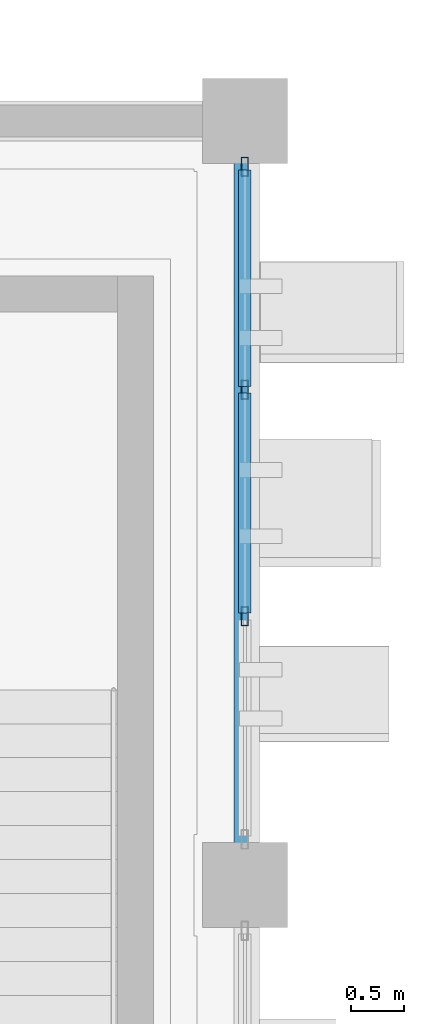
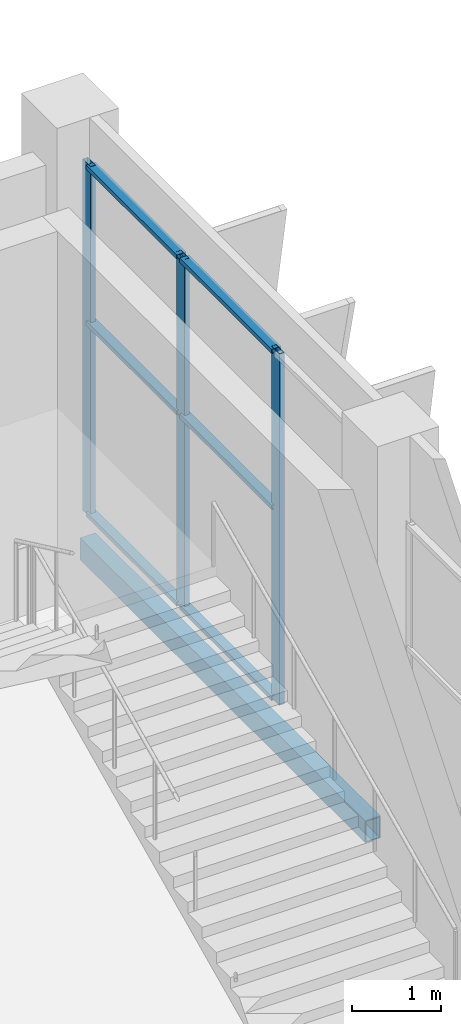
# One storey, part 52 of 137: 9 members, 1 beam, 1 element without a shape of its own.
"""IFC4 building model written with IfcOpenShell, lengths in metres."""

from ifc_helpers import new_model, si_unit, direction, frame, origin, origin_2d, place, context, subcontext, project, spatial, hollow_rectangle, extrude, material, layer, layer_set, material_profile, profile_set, type_object, element, aggregate, save


model = new_model("IFC4")

# Units and contexts
model_context = context("Model", 3, precision=1e-05, world=origin(), true_north=direction((0.0, 1.0)))
body_context = subcontext(model_context, "Body", "Model", "MODEL_VIEW")
ifc_project = project(units=[si_unit("LENGTHUNIT", "METRE"), si_unit("AREAUNIT", "SQUARE_METRE"), si_unit("VOLUMEUNIT", "CUBIC_METRE"), si_unit("PLANEANGLEUNIT", "RADIAN"), si_unit("MASSUNIT", "GRAM", prefix="KILO")], contexts=[model_context])

# Site, building, storey
site_placement = place(None, origin())
site = spatial("IfcSite", under=ifc_project, at=site_placement, CompositionType="ELEMENT")
building_placement = place(site_placement, origin())
building = spatial("IfcBuilding", under=site, at=building_placement, Name="Celestram Park Convention Centre", CompositionType="ELEMENT")
storey_placement = place(building_placement, origin())
storey = spatial("IfcBuildingStorey", under=building, at=storey_placement, Name="L00", CompositionType="ELEMENT", Elevation=0.0)

# Curtain wall, members
ifc_material_1 = material(Name="Anodised Aluminium Alloy 6063-T6", Category="aluminium")
ifc_layer = layer(ifc_material_1, 0.179931640625)
ifc_layer_set = layer_set([ifc_layer], Name="Anodised Aluminium Alloy 6063-T6")
curtain_wall_type = type_object("IfcCurtainWallType", Name="ARC-CW-640X482", PredefinedType="NOTDEFINED", material=ifc_layer_set)
curtain_wall_placement = place(storey_placement, origin())
curtain_wall = element("IfcCurtainWall", 1, at=curtain_wall_placement, inside=storey, type_object=curtain_wall_type, Name="Unitised curtain wall CU-L00-021", PredefinedType="NOTDEFINED")
ifc_material_profile_1 = material_profile(ifc_material_1, hollow_rectangle(XDim=0.06494140625, YDim=0.179931640625, WallThickness=0.00390625, at=origin_2d()), Name="ALU65X180X4")
ifc_profile_set_1 = profile_set([ifc_material_profile_1], Name="Anodised Aluminium Alloy 6063-T6")
member_type_1 = type_object("IfcMemberType", Name="ARC-CWM-150", PredefinedType="MULLION", material=ifc_profile_set_1)
member_1_placement = place(storey_placement, frame((216.0, 35.569580078125, 0.0), z_axis=(0.0, 0.0, 1.0), x_axis=(1.0, 0.0, 0.0)))
member_1 = element("IfcMember", 2, at=member_1_placement, type_object=member_type_1, Name="CW-64X48 mullion 1", PredefinedType="MULLION", context=body_context, shape_type="SweptSolid", body=[
    extrude(hollow_rectangle(XDim=0.06494140625, YDim=0.179931640625, WallThickness=0.00390625, at=origin_2d()), origin(), (0.0, 0.0, 1.0), 4.820068359375),
])
member_2_placement = place(storey_placement, frame((216.0, 33.46728515625, 0.0), z_axis=(0.0, 0.0, 1.0), x_axis=(1.0, 0.0, 0.0)))
member_2 = element("IfcMember", 3, at=member_2_placement, type_object=member_type_1, Name="CW-64X48 mullion 2", PredefinedType="MULLION", context=body_context, shape_type="SweptSolid", body=[
    extrude(hollow_rectangle(XDim=0.06494140625, YDim=0.179931640625, WallThickness=0.00390625, at=origin_2d()), origin(), (0.0, 0.0, 1.0), 4.820068359375),
])
member_3_placement = place(storey_placement, frame((216.0, 31.332763671875, 0.0), z_axis=(0.0, 0.0, 1.0), x_axis=(1.0, 0.0, 0.0)))
member_3 = element("IfcMember", 4, at=member_3_placement, type_object=member_type_1, Name="CW-64X48 mullion 3", PredefinedType="MULLION", context=body_context, shape_type="SweptSolid", body=[
    extrude(hollow_rectangle(XDim=0.06494140625, YDim=0.179931640625, WallThickness=0.00390625, at=origin_2d()), origin(), (0.0, 0.0, 1.0), 4.820068359375),
])
ifc_material_profile_2 = material_profile(ifc_material_1, hollow_rectangle(XDim=0.1201171875, YDim=0.06005859375, WallThickness=0.0029296875, at=origin_2d()), Name="ALU120X60X3")
ifc_profile_set_2 = profile_set([ifc_material_profile_2], Name="Anodised Aluminium Alloy 6063-T6")
member_type_2 = type_object("IfcMemberType", Name="ARC-CWT-120", PredefinedType="USERDEFINED", material=ifc_profile_set_2)
member_4_placement = place(storey_placement, frame((216.0, 35.537109375, 0.030029296875), z_axis=(0.0, -1.0, 0.0), x_axis=(1.0, 0.0, 0.0)))
member_4 = element("IfcMember", 5, at=member_4_placement, type_object=member_type_2, Name="CW-64X48 transom 1.1", ObjectType="TRANSOM", PredefinedType="USERDEFINED", context=body_context, shape_type="SweptSolid", body=[
    extrude(hollow_rectangle(XDim=0.1201171875, YDim=0.06005859375, WallThickness=0.0029296875, at=origin_2d()), origin(), (0.0, 0.0, 1.0), 2.037353515625),
])
member_5_placement = place(storey_placement, frame((216.0, 35.537109375, 2.64990234375), z_axis=(0.0, -1.0, 0.0), x_axis=(1.0, 0.0, 0.0)))
member_5 = element("IfcMember", 6, at=member_5_placement, type_object=member_type_2, Name="CW-64X48 transom 1.2", ObjectType="TRANSOM", PredefinedType="USERDEFINED", context=body_context, shape_type="SweptSolid", body=[
    extrude(hollow_rectangle(XDim=0.1201171875, YDim=0.06005859375, WallThickness=0.0029296875, at=origin_2d()), origin(), (0.0, 0.0, 1.0), 2.037353515625),
])
member_6_placement = place(storey_placement, frame((216.0, 35.537109375, 4.7900390625), z_axis=(0.0, -1.0, 0.0), x_axis=(1.0, 0.0, 0.0)))
member_6 = element("IfcMember", 7, at=member_6_placement, type_object=member_type_2, Name="CW-64X48 transom 1.3", ObjectType="TRANSOM", PredefinedType="USERDEFINED", context=body_context, shape_type="SweptSolid", body=[
    extrude(hollow_rectangle(XDim=0.1201171875, YDim=0.06005859375, WallThickness=0.0029296875, at=origin_2d()), origin(), (0.0, 0.0, 1.0), 2.037353515625),
])
member_7_placement = place(storey_placement, frame((216.0, 33.434814453125, 0.030029296875), z_axis=(0.0, -1.0, 0.0), x_axis=(1.0, 0.0, 0.0)))
member_7 = element("IfcMember", 8, at=member_7_placement, type_object=member_type_2, Name="CW-64X48 transom 2.1", ObjectType="TRANSOM", PredefinedType="USERDEFINED", context=body_context, shape_type="SweptSolid", body=[
    extrude(hollow_rectangle(XDim=0.1201171875, YDim=0.06005859375, WallThickness=0.0029296875, at=origin_2d()), origin(), (0.0, 0.0, 1.0), 2.069580078125),
])
member_8_placement = place(storey_placement, frame((216.0, 33.434814453125, 2.64990234375), z_axis=(0.0, -1.0, 0.0), x_axis=(1.0, 0.0, 0.0)))
member_8 = element("IfcMember", 9, at=member_8_placement, type_object=member_type_2, Name="CW-64X48 transom 2.2", ObjectType="TRANSOM", PredefinedType="USERDEFINED", context=body_context, shape_type="SweptSolid", body=[
    extrude(hollow_rectangle(XDim=0.1201171875, YDim=0.06005859375, WallThickness=0.0029296875, at=origin_2d()), origin(), (0.0, 0.0, 1.0), 2.069580078125),
])
member_9_placement = place(storey_placement, frame((216.0, 33.434814453125, 4.7900390625), z_axis=(0.0, -1.0, 0.0), x_axis=(1.0, 0.0, 0.0)))
member_9 = element("IfcMember", 10, at=member_9_placement, type_object=member_type_2, Name="CW-64X48 transom 2.3", ObjectType="TRANSOM", PredefinedType="USERDEFINED", context=body_context, shape_type="SweptSolid", body=[
    extrude(hollow_rectangle(XDim=0.1201171875, YDim=0.06005859375, WallThickness=0.0029296875, at=origin_2d()), origin(), (0.0, 0.0, 1.0), 2.069580078125),
])
aggregate(curtain_wall, [member_1, member_2, member_3, member_4, member_5, member_6, member_7, member_8, member_9])

# Beam
ifc_material_2 = material(Name="Steel ASTM A500 Grade C", Category="steel")
ifc_material_profile_3 = material_profile(ifc_material_2, hollow_rectangle(XDim=0.199951171875, YDim=0.300048828125, WallThickness=0.011962890625, at=origin_2d()), Name="HSS300X200X12")
ifc_profile_set_3 = profile_set([ifc_material_profile_3], Name="Steel ASTM A500 Grade C")
beam_type = type_object("IfcBeamType", Name="STR-SPN-HSS300X200", PredefinedType="SPANDREL", material=ifc_profile_set_3)
beam_placement = place(storey_placement, frame((216.0, 29.197998046875, -0.469970703125), z_axis=(0.0, 1.0, 0.0), x_axis=(-1.0, 0.0, 0.0)))
element("IfcBeam", 11, at=beam_placement, inside=storey, type_object=beam_type, Name="Primary Y-girder BG-L00-0872", PredefinedType="SPANDREL", context=body_context, shape_type="SweptSolid", body=[
    extrude(hollow_rectangle(XDim=0.199951171875, YDim=0.300048828125, WallThickness=0.011962890625, at=origin_2d()), origin(), (0.0, 0.0, 1.0), 6.404052734375),
])

save(model, "model.ifc")
